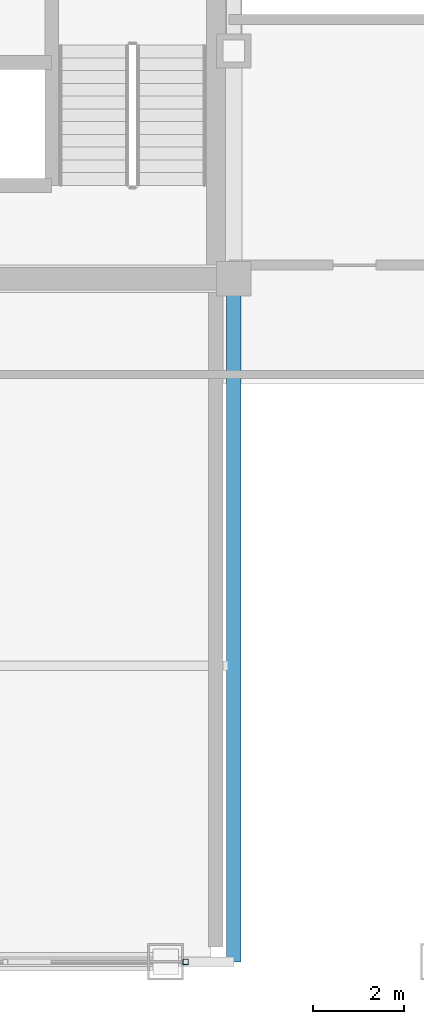
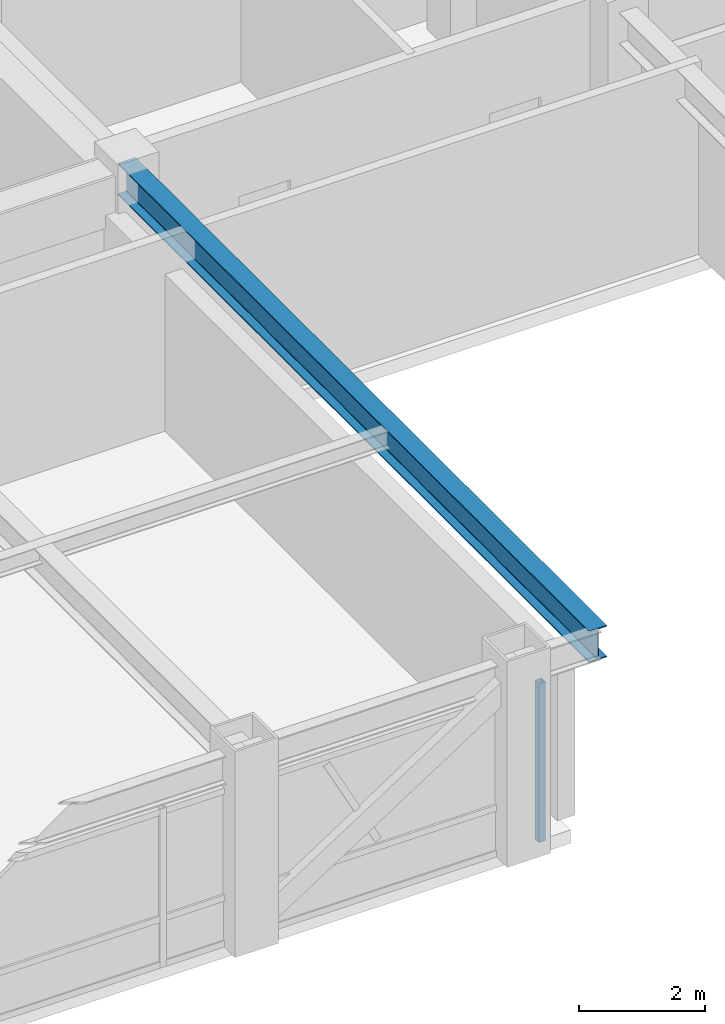
# One storey, part 4 of 29: 1 beam, 1 member, 1 element without a shape of its own.
"""IFC4 building model written with IfcOpenShell, lengths in metres."""

from ifc_helpers import new_model, si_unit, direction, frame, origin, origin_2d, place, context, subcontext, project, spatial, hollow_rectangle, i_section, extrude, source, transform, mapped, material, material_profile, profile_set, type_object, element, aggregate, save


model = new_model("IFC4")

# Units and contexts
model_context = context("Model", 3, precision=1e-05, world=origin(), true_north=direction((0.0, 1.0)))
body_context = subcontext(model_context, "Body", "Model", "MODEL_VIEW")
ifc_project = project(units=[si_unit("LENGTHUNIT", "METRE"), si_unit("AREAUNIT", "SQUARE_METRE"), si_unit("VOLUMEUNIT", "CUBIC_METRE"), si_unit("PLANEANGLEUNIT", "RADIAN"), si_unit("MASSUNIT", "GRAM", prefix="KILO")], contexts=[model_context])

# Site, building, storey
site_placement = place(None, origin())
site = spatial("IfcSite", under=ifc_project, at=site_placement, CompositionType="ELEMENT")
building_placement = place(site_placement, origin())
building = spatial("IfcBuilding", under=site, at=building_placement, Name="Khorayat Bourse Tower", CompositionType="ELEMENT")
storey_placement = place(building_placement, frame((0.0, 0.0, 350.300048828125)))
storey = spatial("IfcBuildingStorey", under=building, at=storey_placement, Name="L83", CompositionType="ELEMENT", Elevation=350.300048828125)

# Beam
ifc_material_1 = material(Name="Steel ASTM A992 Grade 50", Category="steel")
ifc_material_profile_1 = material_profile(ifc_material_1, i_section(OverallWidth=0.324951171875, OverallDepth=0.615966796875, WebThickness=0.013916015625, FlangeThickness=0.021484375, FilletRadius=0.01611328125, at=origin_2d()), Name="W610X174")
ifc_profile_set_1 = profile_set([ifc_material_profile_1], Name="Steel ASTM A992 Grade 50")
beam_type = type_object("IfcBeamType", Name="BM-GIRD-610", PredefinedType="BEAM", material=ifc_profile_set_1)
shared_shape_1 = source(origin(), body_context, "Body", "SweptSolid", [
    extrude(i_section(OverallWidth=0.324951171875, OverallDepth=0.615966796875, WebThickness=0.013916015625, FlangeThickness=0.021484375, FilletRadius=0.01611328125, at=origin_2d()), origin(), (0.0, 0.0, 1.0), 15.0),
])
beam_placement = place(storey_placement, frame((-4.5, -26.0, 3.431884765625), z_axis=(0.0, 1.0, 0.0), x_axis=(-1.0, 0.0, 0.0)))
element("IfcBeam", 1, at=beam_placement, inside=storey, type_object=beam_type, Name="L83 BM-GIRD-610 BM-L83-RADY-056", PredefinedType="BEAM", context=body_context, shape_type="MappedRepresentation", body=[
    mapped(shared_shape_1, transform((0.0, 0.0, 0.0), scale=1.0)),
])

# Curtain wall, member
ifc_material_2 = material(Name="Aluminium EN AW-6063 T6", Category="aluminium")
curtain_wall_type = type_object("IfcCurtainWallType", Name="CW-SYS-06", PredefinedType="NOTDEFINED", material=ifc_material_2)
curtain_wall_placement = place(storey_placement, origin())
curtain_wall = element("IfcCurtainWall", 2, at=curtain_wall_placement, inside=storey, type_object=curtain_wall_type, Name="L83 Curtain Wall CW-L83-S1", PredefinedType="NOTDEFINED")
ifc_material_profile_2 = material_profile(ifc_material_2, hollow_rectangle(XDim=0.1201171875, YDim=0.1201171875, WallThickness=0.0048828125, at=origin_2d()), Name="ALU 120x120x5")
ifc_profile_set_2 = profile_set([ifc_material_profile_2], Name="Aluminium EN AW-6063 T6")
member_type = type_object("IfcMemberType", Name="CWM-VERT-120", PredefinedType="MULLION", material=ifc_profile_set_2)
shared_shape_2 = source(origin(), body_context, "Body", "SweptSolid", [
    extrude(hollow_rectangle(XDim=0.1201171875, YDim=0.1201171875, WallThickness=0.0048828125, at=origin_2d()), origin(), (0.0, 0.0, 1.0), 3.08984375),
])
member_placement = place(storey_placement, frame((-5.56005859375, -26.0, 0.0), z_axis=(0.0, 0.0, 1.0), x_axis=(0.0, 1.0, 0.0)))
member = element("IfcMember", 3, at=member_placement, type_object=member_type, Name="CW-L83-S1 Vertical Mullion 3", PredefinedType="MULLION", context=body_context, shape_type="MappedRepresentation", body=[
    mapped(shared_shape_2, transform((0.0, 0.0, 0.0), scale=1.0)),
])
aggregate(curtain_wall, [member])

save(model, "model.ifc")
